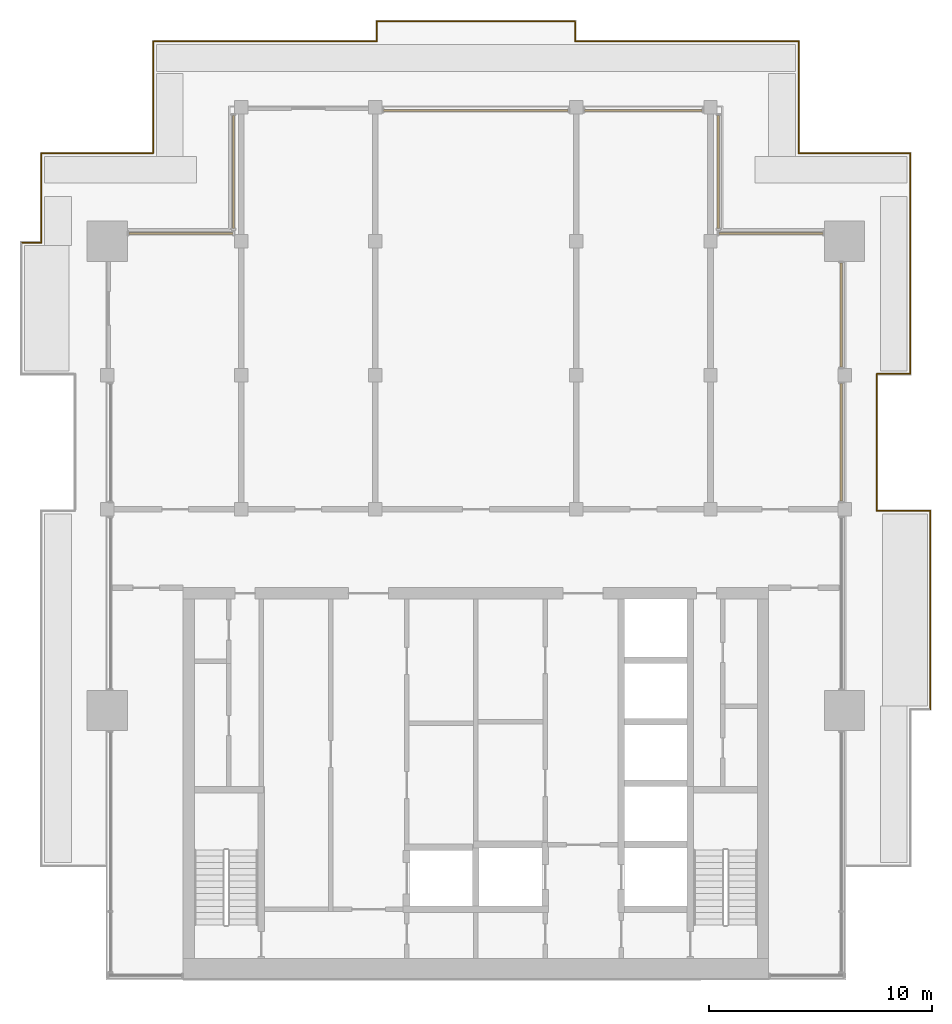
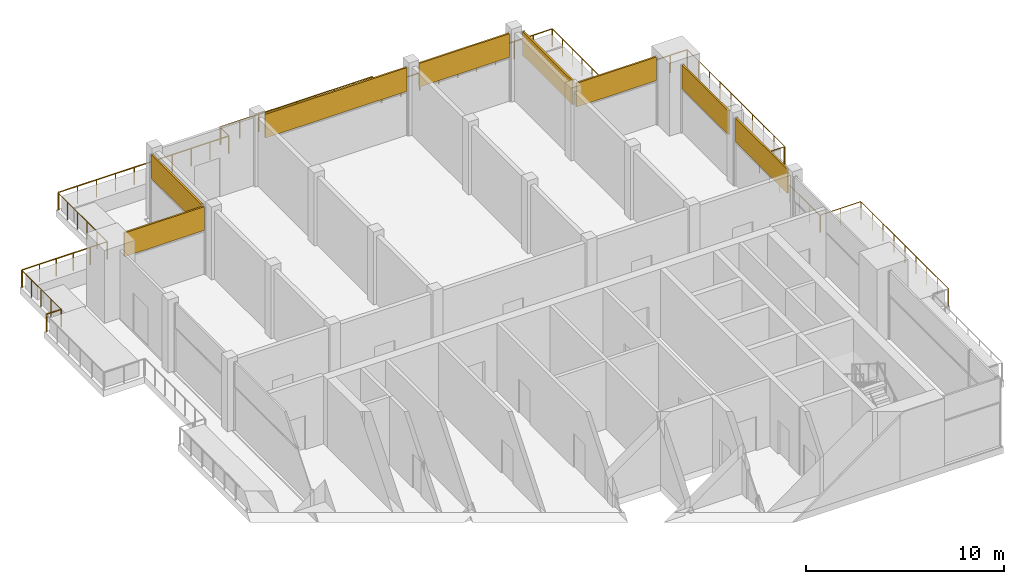
# One storey, part 9 of 9: 16 railings, 8 shading devices, 8 elements without a shape of their own.
"""IFC4 building model written with IfcOpenShell, lengths in metres."""

from ifc_helpers import new_model, si_unit, direction, frame, origin, origin_2d, place, context, subcontext, project, spatial, rectangle, circle, extrude, material, layer, layer_set, type_object, element, aggregate, save


model = new_model("IFC4")

# Units and contexts
model_context = context("Model", 3, precision=1e-05, world=origin(), true_north=direction((0.0, 1.0)))
body_context = subcontext(model_context, "Body", "Model", "MODEL_VIEW")
ifc_project = project(units=[si_unit("LENGTHUNIT", "METRE"), si_unit("AREAUNIT", "SQUARE_METRE"), si_unit("VOLUMEUNIT", "CUBIC_METRE"), si_unit("PLANEANGLEUNIT", "RADIAN"), si_unit("MASSUNIT", "GRAM", prefix="KILO")], contexts=[model_context])

# Site, building, storey
site_placement = place(None, origin())
site = spatial("IfcSite", under=ifc_project, at=site_placement, CompositionType="ELEMENT")
building_placement = place(site_placement, origin())
building = spatial("IfcBuilding", under=site, at=building_placement, Name="Finial Court Residences", CompositionType="ELEMENT")
storey_placement = place(building_placement, frame((0.0, 0.0, 298.699951171875)))
storey = spatial("IfcBuildingStorey", under=building, at=storey_placement, Name="L76", CompositionType="ELEMENT", Elevation=298.699951171875)

# Curtain wall, shading device
ifc_material = material(Name="Bronze anodised aluminium", Category="aluminium")
curtain_wall_type = type_object("IfcCurtainWallType", Name="Crown lantern glazing", PredefinedType="NOTDEFINED", material=ifc_material)
curtain_wall_1_placement = place(storey_placement, origin())
curtain_wall_1 = element("IfcCurtainWall", 1, at=curtain_wall_1_placement, inside=storey, type_object=curtain_wall_type, Name="E-L76-CW-N1c1", PredefinedType="NOTDEFINED")
ifc_layer = layer(ifc_material, 0.10009765625)
ifc_layer_set = layer_set([ifc_layer], Name="CW6 louvre panel 100")
shading_device_type = type_object("IfcShadingDeviceType", Name="CW6 louvre panel 100", PredefinedType="USERDEFINED", material=ifc_layer_set)
shading_device_1_placement = place(storey_placement, frame((0.0, 13.35009765625, 2.73486328125), z_axis=(0.0, 0.0, 1.0), x_axis=(1.0, 0.0, 0.0)))
shading_device_1 = element("IfcShadingDevice", 2, at=shading_device_1_placement, type_object=shading_device_type, Name="CW6 louvre 1.2", ObjectType="LOUVRE", PredefinedType="USERDEFINED", context=body_context, shape_type="SweptSolid", body=[
    extrude(rectangle(XDim=8.260009765625, YDim=0.10009765625, at=origin_2d()), origin(), (0.0, 0.0, 1.0), 1.465087890625),
])
aggregate(curtain_wall_1, [shading_device_1])

curtain_wall_2_placement = place(storey_placement, origin())
curtain_wall_2 = element("IfcCurtainWall", 3, at=curtain_wall_2_placement, inside=storey, type_object=curtain_wall_type, Name="E-L76-CW-N1c2", PredefinedType="NOTDEFINED")
shading_device_2_placement = place(storey_placement, frame((7.5, 13.35009765625, 2.73486328125), z_axis=(0.0, 0.0, 1.0), x_axis=(1.0, 0.0, 0.0)))
shading_device_2 = element("IfcShadingDevice", 4, at=shading_device_2_placement, type_object=shading_device_type, Name="CW6 louvre 1.2", ObjectType="LOUVRE", PredefinedType="USERDEFINED", context=body_context, shape_type="SweptSolid", body=[
    extrude(rectangle(XDim=5.260009765625, YDim=0.10009765625, at=origin_2d()), origin(), (0.0, 0.0, 1.0), 1.465087890625),
])
aggregate(curtain_wall_2, [shading_device_2])

curtain_wall_3_placement = place(storey_placement, origin())
curtain_wall_3 = element("IfcCurtainWall", 5, at=curtain_wall_3_placement, inside=storey, type_object=curtain_wall_type, Name="E-L76-CW-E2c3", PredefinedType="NOTDEFINED")
shading_device_3_placement = place(storey_placement, frame((16.35009765625, -1.5, 2.73486328125), z_axis=(0.0, 0.0, 1.0), x_axis=(0.0, 1.0, 0.0)))
shading_device_3 = element("IfcShadingDevice", 6, at=shading_device_3_placement, type_object=shading_device_type, Name="CW6 louvre 1.2", ObjectType="LOUVRE", PredefinedType="USERDEFINED", context=body_context, shape_type="SweptSolid", body=[
    extrude(rectangle(XDim=5.260009765625, YDim=0.10009765625, at=origin_2d()), origin(), (0.0, 0.0, 1.0), 1.465087890625),
])
aggregate(curtain_wall_3, [shading_device_3])

curtain_wall_4_placement = place(storey_placement, origin())
curtain_wall_4 = element("IfcCurtainWall", 7, at=curtain_wall_4_placement, inside=storey, type_object=curtain_wall_type, Name="E-L76-CW-E2c4", PredefinedType="NOTDEFINED")
shading_device_4_placement = place(storey_placement, frame((16.35009765625, 4.199951171875, 2.73486328125), z_axis=(0.0, 0.0, 1.0), x_axis=(0.0, 1.0, 0.0)))
shading_device_4 = element("IfcShadingDevice", 8, at=shading_device_4_placement, type_object=shading_device_type, Name="CW6 louvre 1.2", ObjectType="LOUVRE", PredefinedType="USERDEFINED", context=body_context, shape_type="SweptSolid", body=[
    extrude(rectangle(XDim=4.659912109375, YDim=0.10009765625, at=origin_2d()), origin(), (0.0, 0.0, 1.0), 1.465087890625),
])
aggregate(curtain_wall_4, [shading_device_4])

curtain_wall_5_placement = place(storey_placement, origin())
curtain_wall_5 = element("IfcCurtainWall", 9, at=curtain_wall_5_placement, inside=storey, type_object=curtain_wall_type, Name="E-L76-CW-W6nc1", PredefinedType="NOTDEFINED")
shading_device_5_placement = place(storey_placement, frame((-10.85009765625, 10.60009765625, 2.73486328125), z_axis=(0.0, 0.0, 1.0), x_axis=(0.0, 1.0, 0.0)))
shading_device_5 = element("IfcShadingDevice", 10, at=shading_device_5_placement, type_object=shading_device_type, Name="CW6 louvre 1.2", ObjectType="LOUVRE", PredefinedType="USERDEFINED", context=body_context, shape_type="SweptSolid", body=[
    extrude(rectangle(XDim=5.06005859375, YDim=0.10009765625, at=origin_2d()), origin(), (0.0, 0.0, 1.0), 1.465087890625),
])
aggregate(curtain_wall_5, [shading_device_5])

curtain_wall_6_placement = place(storey_placement, origin())
curtain_wall_6 = element("IfcCurtainWall", 11, at=curtain_wall_6_placement, inside=storey, type_object=curtain_wall_type, Name="E-L76-CW-N7nc1", PredefinedType="NOTDEFINED")
shading_device_6_placement = place(storey_placement, frame((-13.199951171875, 7.85009765625, 2.73486328125), z_axis=(0.0, 0.0, 1.0), x_axis=(1.0, 0.0, 0.0)))
shading_device_6 = element("IfcShadingDevice", 12, at=shading_device_6_placement, type_object=shading_device_type, Name="CW6 louvre 1.2", ObjectType="LOUVRE", PredefinedType="USERDEFINED", context=body_context, shape_type="SweptSolid", body=[
    extrude(rectangle(XDim=4.659912109375, YDim=0.10009765625, at=origin_2d()), origin(), (0.0, 0.0, 1.0), 1.465087890625),
])
aggregate(curtain_wall_6, [shading_device_6])

curtain_wall_7_placement = place(storey_placement, origin())
curtain_wall_7 = element("IfcCurtainWall", 13, at=curtain_wall_7_placement, inside=storey, type_object=curtain_wall_type, Name="E-L76-CW-E8nc1", PredefinedType="NOTDEFINED")
shading_device_7_placement = place(storey_placement, frame((10.85009765625, 10.60009765625, 2.73486328125), z_axis=(0.0, 0.0, 1.0), x_axis=(0.0, 1.0, 0.0)))
shading_device_7 = element("IfcShadingDevice", 14, at=shading_device_7_placement, type_object=shading_device_type, Name="CW6 louvre 1.2", ObjectType="LOUVRE", PredefinedType="USERDEFINED", context=body_context, shape_type="SweptSolid", body=[
    extrude(rectangle(XDim=5.06005859375, YDim=0.10009765625, at=origin_2d()), origin(), (0.0, 0.0, 1.0), 1.465087890625),
])
aggregate(curtain_wall_7, [shading_device_7])

curtain_wall_8_placement = place(storey_placement, origin())
curtain_wall_8 = element("IfcCurtainWall", 15, at=curtain_wall_8_placement, inside=storey, type_object=curtain_wall_type, Name="E-L76-CW-N9nc1", PredefinedType="NOTDEFINED")
shading_device_8_placement = place(storey_placement, frame((13.199951171875, 7.85009765625, 2.73486328125), z_axis=(0.0, 0.0, 1.0), x_axis=(1.0, 0.0, 0.0)))
shading_device_8 = element("IfcShadingDevice", 16, at=shading_device_8_placement, type_object=shading_device_type, Name="CW6 louvre 1.2", ObjectType="LOUVRE", PredefinedType="USERDEFINED", context=body_context, shape_type="SweptSolid", body=[
    extrude(rectangle(XDim=4.659912109375, YDim=0.10009765625, at=origin_2d()), origin(), (0.0, 0.0, 1.0), 1.465087890625),
])
aggregate(curtain_wall_8, [shading_device_8])

# Railings
railing_type = type_object("IfcRailingType", Name="Terrace guard 1100", PredefinedType="GUARDRAIL", material=ifc_material)
railing_1_placement = place(storey_placement, frame((-20.2900390625, 7.43994140625, 0.0)))
element("IfcRailing", 17, at=railing_1_placement, inside=storey, type_object=railing_type, Name="E-L76-TER1-R1-7", PredefinedType="GUARDRAIL", context=body_context, shape_type="SweptSolid", body=[
    extrude(circle(Radius=0.02392578125, at=origin_2d()), frame((0.0, 0.0, 1.076171875), z_axis=(1.0, 0.0, 0.0), x_axis=(0.0, 1.0, 0.0)), (0.0, 0.0, 1.0), 0.85009765625),
    extrude(circle(Radius=0.02099609375, at=origin_2d()), origin(), (0.0, 0.0, 1.0), 1.052001953125),
    extrude(circle(Radius=0.02099609375, at=origin_2d()), frame((0.85009765625, 0.0, 0.0)), (0.0, 0.0, 1.0), 1.052001953125),
])
railing_2_placement = place(storey_placement, frame((-19.43994140625, 7.489990234375, 0.0)))
element("IfcRailing", 18, at=railing_2_placement, inside=storey, type_object=railing_type, Name="E-L76-TER1-R1-8", PredefinedType="GUARDRAIL", context=body_context, shape_type="SweptSolid", body=[
    extrude(circle(Radius=0.02392578125, at=origin_2d()), frame((0.0, 0.0, 1.076171875), z_axis=(0.0, 1.0, 0.0), x_axis=(-1.0, 0.0, 0.0)), (0.0, 0.0, 1.0), 3.949951171875),
    extrude(circle(Radius=0.02099609375, at=origin_2d()), origin(), (0.0, 0.0, 1.0), 1.052001953125),
    extrude(circle(Radius=0.02099609375, at=origin_2d()), frame((0.0, 0.987548828125, 0.0)), (0.0, 0.0, 1.0), 1.052001953125),
    extrude(circle(Radius=0.02099609375, at=origin_2d()), frame((0.0, 1.97509765625, 0.0)), (0.0, 0.0, 1.0), 1.052001953125),
    extrude(circle(Radius=0.02099609375, at=origin_2d()), frame((0.0, 2.96240234375, 0.0)), (0.0, 0.0, 1.0), 1.052001953125),
    extrude(circle(Radius=0.02099609375, at=origin_2d()), frame((0.0, 3.949951171875, 0.0)), (0.0, 0.0, 1.0), 1.052001953125),
])
railing_3_placement = place(storey_placement, frame((-19.389892578125, 11.43994140625, 0.0)))
element("IfcRailing", 19, at=railing_3_placement, inside=storey, type_object=railing_type, Name="E-L76-TER1-R1-9", PredefinedType="GUARDRAIL", context=body_context, shape_type="SweptSolid", body=[
    extrude(circle(Radius=0.02392578125, at=origin_2d()), frame((0.0, 0.0, 1.076171875), z_axis=(1.0, 0.0, 0.0), x_axis=(0.0, 1.0, 0.0)), (0.0, 0.0, 1.0), 4.949951171875),
    extrude(circle(Radius=0.02099609375, at=origin_2d()), origin(), (0.0, 0.0, 1.0), 1.052001953125),
    extrude(circle(Radius=0.02099609375, at=origin_2d()), frame((0.989990234375, 0.0, 0.0)), (0.0, 0.0, 1.0), 1.052001953125),
    extrude(circle(Radius=0.02099609375, at=origin_2d()), frame((1.97998046875, 0.0, 0.0)), (0.0, 0.0, 1.0), 1.052001953125),
    extrude(circle(Radius=0.02099609375, at=origin_2d()), frame((2.969970703125, 0.0, 0.0)), (0.0, 0.0, 1.0), 1.052001953125),
    extrude(circle(Radius=0.02099609375, at=origin_2d()), frame((3.9599609375, 0.0, 0.0)), (0.0, 0.0, 1.0), 1.052001953125),
    extrude(circle(Radius=0.02099609375, at=origin_2d()), frame((4.949951171875, 0.0, 0.0)), (0.0, 0.0, 1.0), 1.052001953125),
])
railing_4_placement = place(storey_placement, frame((-14.43994140625, 11.489990234375, 0.0)))
element("IfcRailing", 20, at=railing_4_placement, inside=storey, type_object=railing_type, Name="E-L76-TER1-R1-10", PredefinedType="GUARDRAIL", context=body_context, shape_type="SweptSolid", body=[
    extrude(circle(Radius=0.02392578125, at=origin_2d()), frame((0.0, 0.0, 1.076171875), z_axis=(0.0, 1.0, 0.0), x_axis=(-1.0, 0.0, 0.0)), (0.0, 0.0, 1.0), 4.949951171875),
    extrude(circle(Radius=0.02099609375, at=origin_2d()), origin(), (0.0, 0.0, 1.0), 1.052001953125),
    extrude(circle(Radius=0.02099609375, at=origin_2d()), frame((0.0, 0.989990234375, 0.0)), (0.0, 0.0, 1.0), 1.052001953125),
    extrude(circle(Radius=0.02099609375, at=origin_2d()), frame((0.0, 1.97998046875, 0.0)), (0.0, 0.0, 1.0), 1.052001953125),
    extrude(circle(Radius=0.02099609375, at=origin_2d()), frame((0.0, 2.969970703125, 0.0)), (0.0, 0.0, 1.0), 1.052001953125),
    extrude(circle(Radius=0.02099609375, at=origin_2d()), frame((0.0, 3.9599609375, 0.0)), (0.0, 0.0, 1.0), 1.052001953125),
    extrude(circle(Radius=0.02099609375, at=origin_2d()), frame((0.0, 4.949951171875, 0.0)), (0.0, 0.0, 1.0), 1.052001953125),
])
railing_5_placement = place(storey_placement, frame((-14.389892578125, 16.43994140625, 0.0)))
element("IfcRailing", 21, at=railing_5_placement, inside=storey, type_object=railing_type, Name="E-L76-TER1-R1-11", PredefinedType="GUARDRAIL", context=body_context, shape_type="SweptSolid", body=[
    extrude(circle(Radius=0.02392578125, at=origin_2d()), frame((0.0, 0.0, 1.076171875), z_axis=(1.0, 0.0, 0.0), x_axis=(0.0, 1.0, 0.0)), (0.0, 0.0, 1.0), 9.949951171875),
    extrude(circle(Radius=0.02099609375, at=origin_2d()), origin(), (0.0, 0.0, 1.0), 1.052001953125),
    extrude(circle(Radius=0.02099609375, at=origin_2d()), frame((1.10546875, 0.0, 0.0)), (0.0, 0.0, 1.0), 1.052001953125),
    extrude(circle(Radius=0.02099609375, at=origin_2d()), frame((2.211181640625, 0.0, 0.0)), (0.0, 0.0, 1.0), 1.052001953125),
    extrude(circle(Radius=0.02099609375, at=origin_2d()), frame((3.316650390625, 0.0, 0.0)), (0.0, 0.0, 1.0), 1.052001953125),
    extrude(circle(Radius=0.02099609375, at=origin_2d()), frame((4.422119140625, 0.0, 0.0)), (0.0, 0.0, 1.0), 1.052001953125),
    extrude(circle(Radius=0.02099609375, at=origin_2d()), frame((5.52783203125, 0.0, 0.0)), (0.0, 0.0, 1.0), 1.052001953125),
    extrude(circle(Radius=0.02099609375, at=origin_2d()), frame((6.63330078125, 0.0, 0.0)), (0.0, 0.0, 1.0), 1.052001953125),
    extrude(circle(Radius=0.02099609375, at=origin_2d()), frame((7.73876953125, 0.0, 0.0)), (0.0, 0.0, 1.0), 1.052001953125),
    extrude(circle(Radius=0.02099609375, at=origin_2d()), frame((8.844482421875, 0.0, 0.0)), (0.0, 0.0, 1.0), 1.052001953125),
    extrude(circle(Radius=0.02099609375, at=origin_2d()), frame((9.949951171875, 0.0, 0.0)), (0.0, 0.0, 1.0), 1.052001953125),
])
railing_6_placement = place(storey_placement, frame((-4.43994140625, 16.489990234375, 0.0)))
element("IfcRailing", 22, at=railing_6_placement, inside=storey, type_object=railing_type, Name="E-L76-TER1-R1-12", PredefinedType="GUARDRAIL", context=body_context, shape_type="SweptSolid", body=[
    extrude(circle(Radius=0.02392578125, at=origin_2d()), frame((0.0, 0.0, 1.076171875), z_axis=(0.0, 1.0, 0.0), x_axis=(-1.0, 0.0, 0.0)), (0.0, 0.0, 1.0), 0.85009765625),
    extrude(circle(Radius=0.02099609375, at=origin_2d()), origin(), (0.0, 0.0, 1.0), 1.052001953125),
    extrude(circle(Radius=0.02099609375, at=origin_2d()), frame((0.0, 0.85009765625, 0.0)), (0.0, 0.0, 1.0), 1.052001953125),
])
railing_7_placement = place(storey_placement, frame((-4.389892578125, 17.340087890625, 0.0)))
element("IfcRailing", 23, at=railing_7_placement, inside=storey, type_object=railing_type, Name="E-L76-TER1-R1-13", PredefinedType="GUARDRAIL", context=body_context, shape_type="SweptSolid", body=[
    extrude(circle(Radius=0.02392578125, at=origin_2d()), frame((0.0, 0.0, 1.076171875), z_axis=(1.0, 0.0, 0.0), x_axis=(0.0, 1.0, 0.0)), (0.0, 0.0, 1.0), 8.829833984375),
    extrude(circle(Radius=0.02099609375, at=origin_2d()), origin(), (0.0, 0.0, 1.0), 1.052001953125),
    extrude(circle(Radius=0.02099609375, at=origin_2d()), frame((1.103759765625, 0.0, 0.0)), (0.0, 0.0, 1.0), 1.052001953125),
    extrude(circle(Radius=0.02099609375, at=origin_2d()), frame((2.20751953125, 0.0, 0.0)), (0.0, 0.0, 1.0), 1.052001953125),
    extrude(circle(Radius=0.02099609375, at=origin_2d()), frame((3.311279296875, 0.0, 0.0)), (0.0, 0.0, 1.0), 1.052001953125),
    extrude(circle(Radius=0.02099609375, at=origin_2d()), frame((4.4150390625, 0.0, 0.0)), (0.0, 0.0, 1.0), 1.052001953125),
    extrude(circle(Radius=0.02099609375, at=origin_2d()), frame((5.5185546875, 0.0, 0.0)), (0.0, 0.0, 1.0), 1.052001953125),
    extrude(circle(Radius=0.02099609375, at=origin_2d()), frame((6.622314453125, 0.0, 0.0)), (0.0, 0.0, 1.0), 1.052001953125),
    extrude(circle(Radius=0.02099609375, at=origin_2d()), frame((7.72607421875, 0.0, 0.0)), (0.0, 0.0, 1.0), 1.052001953125),
    extrude(circle(Radius=0.02099609375, at=origin_2d()), frame((8.829833984375, 0.0, 0.0)), (0.0, 0.0, 1.0), 1.052001953125),
])
railing_8_placement = place(storey_placement, frame((4.43994140625, 17.2900390625, 0.0)))
element("IfcRailing", 24, at=railing_8_placement, inside=storey, type_object=railing_type, Name="E-L76-TER1-R1-14", PredefinedType="GUARDRAIL", context=body_context, shape_type="SweptSolid", body=[
    extrude(circle(Radius=0.02392578125, at=origin_2d()), frame((0.0, 0.0, 1.076171875), z_axis=(0.0, -1.0, 0.0), x_axis=(1.0, 0.0, 0.0)), (0.0, 0.0, 1.0), 0.85009765625),
    extrude(circle(Radius=0.02099609375, at=origin_2d()), origin(), (0.0, 0.0, 1.0), 1.052001953125),
    extrude(circle(Radius=0.02099609375, at=origin_2d()), frame((0.0, -0.85009765625, 0.0)), (0.0, 0.0, 1.0), 1.052001953125),
])
railing_9_placement = place(storey_placement, frame((4.489990234375, 16.43994140625, 0.0)))
element("IfcRailing", 25, at=railing_9_placement, inside=storey, type_object=railing_type, Name="E-L76-TER1-R1-15", PredefinedType="GUARDRAIL", context=body_context, shape_type="SweptSolid", body=[
    extrude(circle(Radius=0.02392578125, at=origin_2d()), frame((0.0, 0.0, 1.076171875), z_axis=(1.0, 0.0, 0.0), x_axis=(0.0, 1.0, 0.0)), (0.0, 0.0, 1.0), 9.949951171875),
    extrude(circle(Radius=0.02099609375, at=origin_2d()), origin(), (0.0, 0.0, 1.0), 1.052001953125),
    extrude(circle(Radius=0.02099609375, at=origin_2d()), frame((1.10546875, 0.0, 0.0)), (0.0, 0.0, 1.0), 1.052001953125),
    extrude(circle(Radius=0.02099609375, at=origin_2d()), frame((2.211181640625, 0.0, 0.0)), (0.0, 0.0, 1.0), 1.052001953125),
    extrude(circle(Radius=0.02099609375, at=origin_2d()), frame((3.316650390625, 0.0, 0.0)), (0.0, 0.0, 1.0), 1.052001953125),
    extrude(circle(Radius=0.02099609375, at=origin_2d()), frame((4.422119140625, 0.0, 0.0)), (0.0, 0.0, 1.0), 1.052001953125),
    extrude(circle(Radius=0.02099609375, at=origin_2d()), frame((5.52783203125, 0.0, 0.0)), (0.0, 0.0, 1.0), 1.052001953125),
    extrude(circle(Radius=0.02099609375, at=origin_2d()), frame((6.63330078125, 0.0, 0.0)), (0.0, 0.0, 1.0), 1.052001953125),
    extrude(circle(Radius=0.02099609375, at=origin_2d()), frame((7.73876953125, 0.0, 0.0)), (0.0, 0.0, 1.0), 1.052001953125),
    extrude(circle(Radius=0.02099609375, at=origin_2d()), frame((8.844482421875, 0.0, 0.0)), (0.0, 0.0, 1.0), 1.052001953125),
    extrude(circle(Radius=0.02099609375, at=origin_2d()), frame((9.949951171875, 0.0, 0.0)), (0.0, 0.0, 1.0), 1.052001953125),
])
railing_10_placement = place(storey_placement, frame((14.43994140625, 16.389892578125, 0.0)))
element("IfcRailing", 26, at=railing_10_placement, inside=storey, type_object=railing_type, Name="E-L76-TER1-R1-16", PredefinedType="GUARDRAIL", context=body_context, shape_type="SweptSolid", body=[
    extrude(circle(Radius=0.02392578125, at=origin_2d()), frame((0.0, 0.0, 1.076171875), z_axis=(0.0, -1.0, 0.0), x_axis=(1.0, 0.0, 0.0)), (0.0, 0.0, 1.0), 4.949951171875),
    extrude(circle(Radius=0.02099609375, at=origin_2d()), origin(), (0.0, 0.0, 1.0), 1.052001953125),
    extrude(circle(Radius=0.02099609375, at=origin_2d()), frame((0.0, -0.989990234375, 0.0)), (0.0, 0.0, 1.0), 1.052001953125),
    extrude(circle(Radius=0.02099609375, at=origin_2d()), frame((0.0, -1.97998046875, 0.0)), (0.0, 0.0, 1.0), 1.052001953125),
    extrude(circle(Radius=0.02099609375, at=origin_2d()), frame((0.0, -2.969970703125, 0.0)), (0.0, 0.0, 1.0), 1.052001953125),
    extrude(circle(Radius=0.02099609375, at=origin_2d()), frame((0.0, -3.9599609375, 0.0)), (0.0, 0.0, 1.0), 1.052001953125),
    extrude(circle(Radius=0.02099609375, at=origin_2d()), frame((0.0, -4.949951171875, 0.0)), (0.0, 0.0, 1.0), 1.052001953125),
])
railing_11_placement = place(storey_placement, frame((14.489990234375, 11.43994140625, 0.0)))
element("IfcRailing", 27, at=railing_11_placement, inside=storey, type_object=railing_type, Name="E-L76-TER1-R1-17", PredefinedType="GUARDRAIL", context=body_context, shape_type="SweptSolid", body=[
    extrude(circle(Radius=0.02392578125, at=origin_2d()), frame((0.0, 0.0, 1.076171875), z_axis=(1.0, 0.0, 0.0), x_axis=(0.0, 1.0, 0.0)), (0.0, 0.0, 1.0), 4.949951171875),
    extrude(circle(Radius=0.02099609375, at=origin_2d()), origin(), (0.0, 0.0, 1.0), 1.052001953125),
    extrude(circle(Radius=0.02099609375, at=origin_2d()), frame((0.989990234375, 0.0, 0.0)), (0.0, 0.0, 1.0), 1.052001953125),
    extrude(circle(Radius=0.02099609375, at=origin_2d()), frame((1.97998046875, 0.0, 0.0)), (0.0, 0.0, 1.0), 1.052001953125),
    extrude(circle(Radius=0.02099609375, at=origin_2d()), frame((2.969970703125, 0.0, 0.0)), (0.0, 0.0, 1.0), 1.052001953125),
    extrude(circle(Radius=0.02099609375, at=origin_2d()), frame((3.9599609375, 0.0, 0.0)), (0.0, 0.0, 1.0), 1.052001953125),
    extrude(circle(Radius=0.02099609375, at=origin_2d()), frame((4.949951171875, 0.0, 0.0)), (0.0, 0.0, 1.0), 1.052001953125),
])
railing_12_placement = place(storey_placement, frame((19.43994140625, 11.389892578125, 0.0)))
element("IfcRailing", 28, at=railing_12_placement, inside=storey, type_object=railing_type, Name="E-L76-TER1-R1-18", PredefinedType="GUARDRAIL", context=body_context, shape_type="SweptSolid", body=[
    extrude(circle(Radius=0.02392578125, at=origin_2d()), frame((0.0, 0.0, 1.076171875), z_axis=(0.0, -1.0, 0.0), x_axis=(1.0, 0.0, 0.0)), (0.0, 0.0, 1.0), 9.829833984375),
    extrude(circle(Radius=0.02099609375, at=origin_2d()), origin(), (0.0, 0.0, 1.0), 1.052001953125),
    extrude(circle(Radius=0.02099609375, at=origin_2d()), frame((0.0, -1.09228515625, 0.0)), (0.0, 0.0, 1.0), 1.052001953125),
    extrude(circle(Radius=0.02099609375, at=origin_2d()), frame((0.0, -2.184326171875, 0.0)), (0.0, 0.0, 1.0), 1.052001953125),
    extrude(circle(Radius=0.02099609375, at=origin_2d()), frame((0.0, -3.276611328125, 0.0)), (0.0, 0.0, 1.0), 1.052001953125),
    extrude(circle(Radius=0.02099609375, at=origin_2d()), frame((0.0, -4.368896484375, 0.0)), (0.0, 0.0, 1.0), 1.052001953125),
    extrude(circle(Radius=0.02099609375, at=origin_2d()), frame((0.0, -5.4609375, 0.0)), (0.0, 0.0, 1.0), 1.052001953125),
    extrude(circle(Radius=0.02099609375, at=origin_2d()), frame((0.0, -6.55322265625, 0.0)), (0.0, 0.0, 1.0), 1.052001953125),
    extrude(circle(Radius=0.02099609375, at=origin_2d()), frame((0.0, -7.6455078125, 0.0)), (0.0, 0.0, 1.0), 1.052001953125),
    extrude(circle(Radius=0.02099609375, at=origin_2d()), frame((0.0, -8.737548828125, 0.0)), (0.0, 0.0, 1.0), 1.052001953125),
    extrude(circle(Radius=0.02099609375, at=origin_2d()), frame((0.0, -9.829833984375, 0.0)), (0.0, 0.0, 1.0), 1.052001953125),
])
railing_13_placement = place(storey_placement, frame((19.389892578125, 1.56005859375, 0.0)))
element("IfcRailing", 29, at=railing_13_placement, inside=storey, type_object=railing_type, Name="E-L76-TER1-R1-19", PredefinedType="GUARDRAIL", context=body_context, shape_type="SweptSolid", body=[
    extrude(circle(Radius=0.02392578125, at=origin_2d()), frame((0.0, 0.0, 1.076171875), z_axis=(-1.0, 0.0, 0.0), x_axis=(0.0, -1.0, 0.0)), (0.0, 0.0, 1.0), 1.449951171875),
    extrude(circle(Radius=0.02099609375, at=origin_2d()), origin(), (0.0, 0.0, 1.0), 1.052001953125),
    extrude(circle(Radius=0.02099609375, at=origin_2d()), frame((-0.72509765625, 0.0, 0.0)), (0.0, 0.0, 1.0), 1.052001953125),
    extrude(circle(Radius=0.02099609375, at=origin_2d()), frame((-1.449951171875, 0.0, 0.0)), (0.0, 0.0, 1.0), 1.052001953125),
])
railing_14_placement = place(storey_placement, frame((17.93994140625, 1.510009765625, 0.0)))
element("IfcRailing", 30, at=railing_14_placement, inside=storey, type_object=railing_type, Name="E-L76-TER1-R1-20", PredefinedType="GUARDRAIL", context=body_context, shape_type="SweptSolid", body=[
    extrude(circle(Radius=0.02392578125, at=origin_2d()), frame((0.0, 0.0, 1.076171875), z_axis=(0.0, -1.0, 0.0), x_axis=(1.0, 0.0, 0.0)), (0.0, 0.0, 1.0), 6.070068359375),
    extrude(circle(Radius=0.02099609375, at=origin_2d()), origin(), (0.0, 0.0, 1.0), 1.052001953125),
    extrude(circle(Radius=0.02099609375, at=origin_2d()), frame((0.0, -1.01171875, 0.0)), (0.0, 0.0, 1.0), 1.052001953125),
    extrude(circle(Radius=0.02099609375, at=origin_2d()), frame((0.0, -2.0234375, 0.0)), (0.0, 0.0, 1.0), 1.052001953125),
    extrude(circle(Radius=0.02099609375, at=origin_2d()), frame((0.0, -3.03515625, 0.0)), (0.0, 0.0, 1.0), 1.052001953125),
    extrude(circle(Radius=0.02099609375, at=origin_2d()), frame((0.0, -4.046630859375, 0.0)), (0.0, 0.0, 1.0), 1.052001953125),
    extrude(circle(Radius=0.02099609375, at=origin_2d()), frame((0.0, -5.058349609375, 0.0)), (0.0, 0.0, 1.0), 1.052001953125),
    extrude(circle(Radius=0.02099609375, at=origin_2d()), frame((0.0, -6.070068359375, 0.0)), (0.0, 0.0, 1.0), 1.052001953125),
])
railing_15_placement = place(storey_placement, frame((17.989990234375, -4.56005859375, 0.0)))
element("IfcRailing", 31, at=railing_15_placement, inside=storey, type_object=railing_type, Name="E-L76-TER1-R1-21", PredefinedType="GUARDRAIL", context=body_context, shape_type="SweptSolid", body=[
    extrude(circle(Radius=0.02392578125, at=origin_2d()), frame((0.0, 0.0, 1.076171875), z_axis=(1.0, 0.0, 0.0), x_axis=(0.0, 1.0, 0.0)), (0.0, 0.0, 1.0), 2.35009765625),
    extrude(circle(Radius=0.02099609375, at=origin_2d()), origin(), (0.0, 0.0, 1.0), 1.052001953125),
    extrude(circle(Radius=0.02099609375, at=origin_2d()), frame((1.175048828125, 0.0, 0.0)), (0.0, 0.0, 1.0), 1.052001953125),
    extrude(circle(Radius=0.02099609375, at=origin_2d()), frame((2.35009765625, 0.0, 0.0)), (0.0, 0.0, 1.0), 1.052001953125),
])
railing_16_placement = place(storey_placement, frame((20.340087890625, -4.610107421875, 0.0)))
element("IfcRailing", 32, at=railing_16_placement, inside=storey, type_object=railing_type, Name="E-L76-TER1-R1-22", PredefinedType="GUARDRAIL", context=body_context, shape_type="SweptSolid", body=[
    extrude(circle(Radius=0.02392578125, at=origin_2d()), frame((0.0, 0.0, 1.076171875), z_axis=(0.0, -1.0, 0.0), x_axis=(1.0, 0.0, 0.0)), (0.0, 0.0, 1.0), 8.829833984375),
    extrude(circle(Radius=0.02099609375, at=origin_2d()), origin(), (0.0, 0.0, 1.0), 1.052001953125),
    extrude(circle(Radius=0.02099609375, at=origin_2d()), frame((0.0, -1.103759765625, 0.0)), (0.0, 0.0, 1.0), 1.052001953125),
    extrude(circle(Radius=0.02099609375, at=origin_2d()), frame((0.0, -2.20751953125, 0.0)), (0.0, 0.0, 1.0), 1.052001953125),
    extrude(circle(Radius=0.02099609375, at=origin_2d()), frame((0.0, -3.311279296875, 0.0)), (0.0, 0.0, 1.0), 1.052001953125),
    extrude(circle(Radius=0.02099609375, at=origin_2d()), frame((0.0, -4.4150390625, 0.0)), (0.0, 0.0, 1.0), 1.052001953125),
    extrude(circle(Radius=0.02099609375, at=origin_2d()), frame((0.0, -5.5185546875, 0.0)), (0.0, 0.0, 1.0), 1.052001953125),
    extrude(circle(Radius=0.02099609375, at=origin_2d()), frame((0.0, -6.622314453125, 0.0)), (0.0, 0.0, 1.0), 1.052001953125),
    extrude(circle(Radius=0.02099609375, at=origin_2d()), frame((0.0, -7.72607421875, 0.0)), (0.0, 0.0, 1.0), 1.052001953125),
    extrude(circle(Radius=0.02099609375, at=origin_2d()), frame((0.0, -8.829833984375, 0.0)), (0.0, 0.0, 1.0), 1.052001953125),
])

save(model, "model.ifc")
